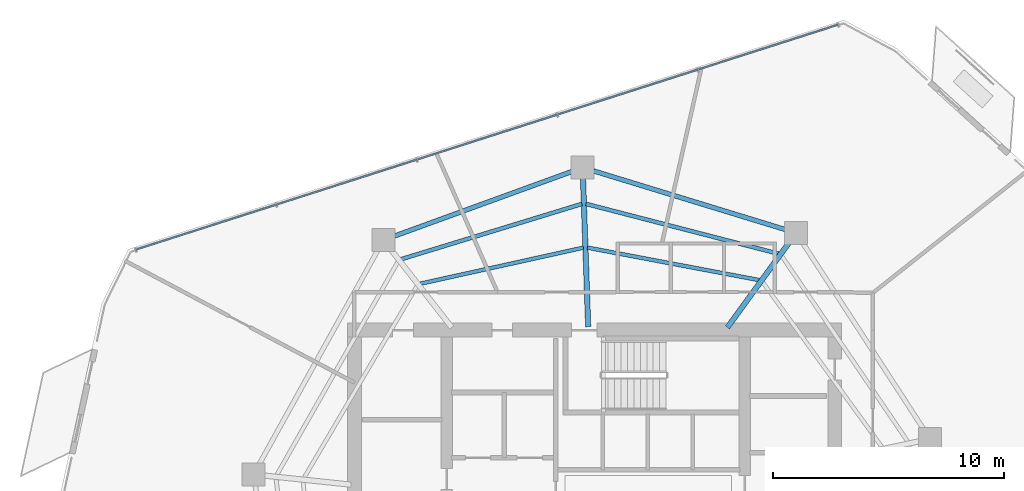
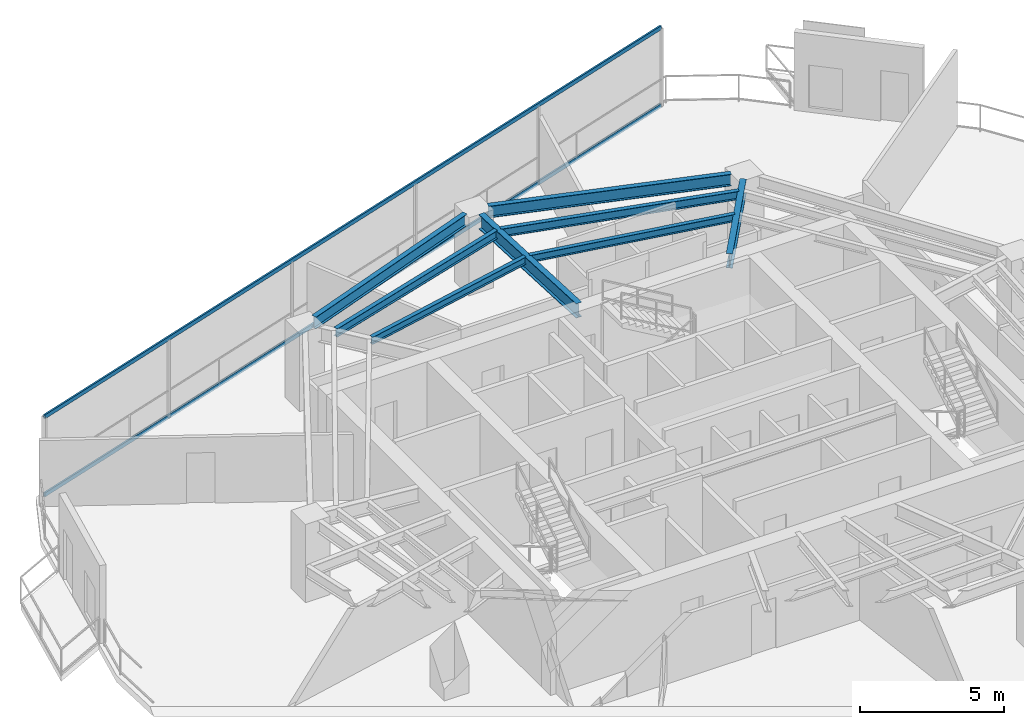
# One storey, part 13 of 21: 8 beams, 2 members, 1 element without a shape of its own.
"""IFC4 building model written with IfcOpenShell, lengths in metres."""

from ifc_helpers import new_model, si_unit, direction, frame, origin, origin_2d, place, context, subcontext, project, spatial, hollow_rectangle, i_section, extrude, material, layer, layer_set, material_profile, profile_set, type_object, element, aggregate, save


model = new_model("IFC4")

# Units and contexts
model_context = context("Model", 3, precision=1e-05, world=origin(), true_north=direction((0.0, 1.0)))
body_context = subcontext(model_context, "Body", "Model", "MODEL_VIEW")
ifc_project = project(units=[si_unit("LENGTHUNIT", "METRE"), si_unit("AREAUNIT", "SQUARE_METRE"), si_unit("VOLUMEUNIT", "CUBIC_METRE"), si_unit("PLANEANGLEUNIT", "RADIAN"), si_unit("MASSUNIT", "GRAM", prefix="KILO")], contexts=[model_context])

# Site, building, storey
site_placement = place(None, origin())
site = spatial("IfcSite", under=ifc_project, at=site_placement, CompositionType="ELEMENT")
building_placement = place(site_placement, origin())
building = spatial("IfcBuilding", under=site, at=building_placement, Name="Qarnah Convention Tower", CompositionType="ELEMENT")
storey_placement = place(building_placement, frame((0.0, 0.0, 132.89990234375)))
storey = spatial("IfcBuildingStorey", under=building, at=storey_placement, Name="L35", CompositionType="ELEMENT", Elevation=132.89990234375)

# Beams
ifc_material_1 = material(Name="Structural steel S355JR", Category="steel")
ifc_material_profile_1 = material_profile(ifc_material_1, i_section(OverallWidth=0.166015625, OverallDepth=0.31201171875, WebThickness=0.007080078125, FlangeThickness=0.010986328125, at=origin_2d()), Name="W310X45")
ifc_profile_set_1 = profile_set([ifc_material_profile_1], Name="Structural steel S355JR")
beam_type_1 = type_object("IfcBeamType", Name="BM-JST-W310", PredefinedType="JOIST", material=ifc_profile_set_1)
beam_1_placement = place(storey_placement, frame((44.341064453125, 36.365966796875, 3.1640625), z_axis=(-0.982606152313, 0.185701775533, 0.0), x_axis=(-0.185701775533, -0.982606152313, 0.0)))
element("IfcBeam", 1, at=beam_1_placement, inside=storey, type_object=beam_type_1, Name="L35 joist BM-L35-IJST-02", PredefinedType="JOIST", context=body_context, shape_type="SweptSolid", body=[
    extrude(i_section(OverallWidth=0.166015625, OverallDepth=0.31201171875, WebThickness=0.007080078125, FlangeThickness=0.010986328125, at=origin_2d()), origin(), (0.0, 0.0, 1.0), 7.581787109375),
])
beam_2_placement = place(storey_placement, frame((36.715087890625, 37.77197265625, 3.1640625), z_axis=(-0.97646370679, -0.215681777908, 0.0), x_axis=(0.215681777908, -0.97646370679, 0.0)))
element("IfcBeam", 2, at=beam_2_placement, inside=storey, type_object=beam_type_1, Name="L35 joist BM-L35-IJST-03", PredefinedType="JOIST", context=body_context, shape_type="SweptSolid", body=[
    extrude(i_section(OverallWidth=0.166015625, OverallDepth=0.31201171875, WebThickness=0.007080078125, FlangeThickness=0.010986328125, at=origin_2d()), origin(), (0.0, 0.0, 1.0), 7.246826171875),
])
ifc_material_profile_2 = material_profile(ifc_material_1, i_section(OverallWidth=0.172119140625, OverallDepth=0.35595703125, WebThickness=0.007080078125, FlangeThickness=0.011962890625, at=origin_2d()), Name="W360X51")
ifc_profile_set_2 = profile_set([ifc_material_profile_2], Name="Structural steel S355JR")
beam_type_2 = type_object("IfcBeamType", Name="BM-JST-W360", PredefinedType="JOIST", material=ifc_profile_set_2)
beam_3_placement = place(storey_placement, frame((45.16796875, 37.510009765625, 3.14208984375), z_axis=(-0.968125718785, 0.250464753261, 0.0), x_axis=(-0.250464753261, -0.968125718785, 0.0)))
element("IfcBeam", 3, at=beam_3_placement, inside=storey, type_object=beam_type_2, Name="L35 joist BM-L35-SJST-02", PredefinedType="JOIST", context=body_context, shape_type="SweptSolid", body=[
    extrude(i_section(OverallWidth=0.172119140625, OverallDepth=0.35595703125, WebThickness=0.007080078125, FlangeThickness=0.011962890625, at=origin_2d()), origin(), (0.0, 0.0, 1.0), 8.61962890625),
])
beam_4_placement = place(storey_placement, frame((36.64990234375, 39.666015625, 3.14208984375), z_axis=(-0.956294191837, -0.29240625619, 0.0), x_axis=(0.29240625619, -0.956294191837, 0.0)))
element("IfcBeam", 4, at=beam_4_placement, inside=storey, type_object=beam_type_2, Name="L35 joist BM-L35-SJST-03", PredefinedType="JOIST", context=body_context, shape_type="SweptSolid", body=[
    extrude(i_section(OverallWidth=0.172119140625, OverallDepth=0.35595703125, WebThickness=0.007080078125, FlangeThickness=0.011962890625, at=origin_2d()), origin(), (0.0, 0.0, 1.0), 8.194091796875),
])
ifc_material_profile_3 = material_profile(ifc_material_1, i_section(OverallWidth=0.22998046875, OverallDepth=0.617919921875, WebThickness=0.012939453125, FlangeThickness=0.02197265625, at=origin_2d()), Name="W610X140")
ifc_profile_set_3 = profile_set([ifc_material_profile_3], Name="Structural steel S355JR")
beam_type_3 = type_object("IfcBeamType", Name="BM-RAD-W610A", PredefinedType="BEAM", material=ifc_profile_set_3)
beam_5_placement = place(storey_placement, frame((42.955078125, 34.321044921875, 3.010986328125), z_axis=(0.58781027487, 0.808998813817, 0.0), x_axis=(-0.808998813817, 0.58781027487, 0.0)))
element("IfcBeam", 5, at=beam_5_placement, inside=storey, type_object=beam_type_3, Name="L35 beam BM-L35-RAD-02", PredefinedType="BEAM", context=body_context, shape_type="SweptSolid", body=[
    extrude(i_section(OverallWidth=0.22998046875, OverallDepth=0.617919921875, WebThickness=0.012939453125, FlangeThickness=0.02197265625, at=origin_2d()), origin(), (0.0, 0.0, 1.0), 4.57958984375),
])
beam_6_placement = place(storey_placement, frame((36.923095703125, 34.35009765625, 3.010986328125), z_axis=(-0.034938098977, 0.999389478252, 0.0), x_axis=(-0.999389478252, -0.034938098977, 0.0)))
element("IfcBeam", 6, at=beam_6_placement, inside=storey, type_object=beam_type_3, Name="L35 beam BM-L35-RAD-03", PredefinedType="BEAM", context=body_context, shape_type="SweptSolid", body=[
    extrude(i_section(OverallWidth=0.22998046875, OverallDepth=0.617919921875, WebThickness=0.012939453125, FlangeThickness=0.02197265625, at=origin_2d()), origin(), (0.0, 0.0, 1.0), 6.414794921875),
])
ifc_material_profile_4 = material_profile(ifc_material_1, i_section(OverallWidth=0.199951171875, OverallDepth=0.5, WebThickness=0.010009765625, FlangeThickness=0.01611328125, at=origin_2d()), Name="IPE500")
ifc_profile_set_4 = profile_set([ifc_material_profile_4], Name="Structural steel S355JR")
beam_type_4 = type_object("IfcBeamType", Name="BM-SPN-IPE500", PredefinedType="SPANDREL", material=ifc_profile_set_4)
beam_7_placement = place(storey_placement, frame((45.4599609375, 38.556884765625, 3.070068359375), z_axis=(-0.956283054976, 0.292442676035, 0.0), x_axis=(-0.292442676035, -0.956283054976, 0.0)))
element("IfcBeam", 7, at=beam_7_placement, inside=storey, type_object=beam_type_4, Name="L35 spandrel BM-L35-SPN-02", PredefinedType="SPANDREL", context=body_context, shape_type="SweptSolid", body=[
    extrude(i_section(OverallWidth=0.199951171875, OverallDepth=0.5, WebThickness=0.010009765625, FlangeThickness=0.01611328125, at=origin_2d()), origin(), (0.0, 0.0, 1.0), 8.68896484375),
])
beam_8_placement = place(storey_placement, frame((36.221923828125, 41.072998046875, 3.070068359375), z_axis=(-0.939745596534, -0.341874558567, 0.0), x_axis=(0.341874558567, -0.939745596534, 0.0)))
element("IfcBeam", 8, at=beam_8_placement, inside=storey, type_object=beam_type_4, Name="L35 spandrel BM-L35-SPN-03", PredefinedType="SPANDREL", context=body_context, shape_type="SweptSolid", body=[
    extrude(i_section(OverallWidth=0.199951171875, OverallDepth=0.5, WebThickness=0.010009765625, FlangeThickness=0.01611328125, at=origin_2d()), origin(), (0.0, 0.0, 1.0), 8.19873046875),
])

# Curtain wall, members
ifc_material_2 = material(Name="Tempered Low-E dark glass", Category="glass")
ifc_layer = layer(ifc_material_2, 0.172119140625)
ifc_layer_set = layer_set([ifc_layer], Name="Tempered Low-E dark glass")
curtain_wall_type = type_object("IfcCurtainWallType", Name="CWS-03", PredefinedType="NOTDEFINED", material=ifc_layer_set)
curtain_wall_placement = place(storey_placement, origin())
curtain_wall = element("IfcCurtainWall", 9, at=curtain_wall_placement, inside=storey, type_object=curtain_wall_type, Name="L35 unitised curtain wall CW-L35-F2", PredefinedType="NOTDEFINED")
ifc_material_3 = material(Name="Black anodised aluminium", Category="aluminium")
ifc_material_profile_5 = material_profile(ifc_material_3, hollow_rectangle(XDim=0.070068359375, YDim=0.169921875, WallThickness=0.0048828125, at=origin_2d()), Name="TRN-70X170")
ifc_profile_set_5 = profile_set([ifc_material_profile_5], Name="Black anodised aluminium")
member_type = type_object("IfcMemberType", Name="TRN-T3", PredefinedType="USERDEFINED", material=ifc_profile_set_5)
member_1_placement = place(storey_placement, frame((17.3359375, 37.68408203125, 0.0), z_axis=(0.952343966749, 0.30502617756, 0.0), x_axis=(-0.30502617756, 0.952343966749, 0.0)))
member_1 = element("IfcMember", 10, at=member_1_placement, type_object=member_type, Name="CW-L35-F2 transom 1", ObjectType="TRANSOM", PredefinedType="USERDEFINED", context=body_context, shape_type="SweptSolid", body=[
    extrude(hollow_rectangle(XDim=0.070068359375, YDim=0.169921875, WallThickness=0.0048828125, at=origin_2d()), origin(), (0.0, 0.0, 1.0), 31.93798828125),
])
member_2_placement = place(storey_placement, frame((17.3359375, 37.68408203125, 3.320068359375), z_axis=(0.952343966749, 0.30502617756, 0.0), x_axis=(-0.30502617756, 0.952343966749, 0.0)))
member_2 = element("IfcMember", 11, at=member_2_placement, type_object=member_type, Name="CW-L35-F2 transom 2", ObjectType="TRANSOM", PredefinedType="USERDEFINED", context=body_context, shape_type="SweptSolid", body=[
    extrude(hollow_rectangle(XDim=0.070068359375, YDim=0.169921875, WallThickness=0.0048828125, at=origin_2d()), origin(), (0.0, 0.0, 1.0), 31.93798828125),
])
aggregate(curtain_wall, [member_1, member_2])

save(model, "model.ifc")
